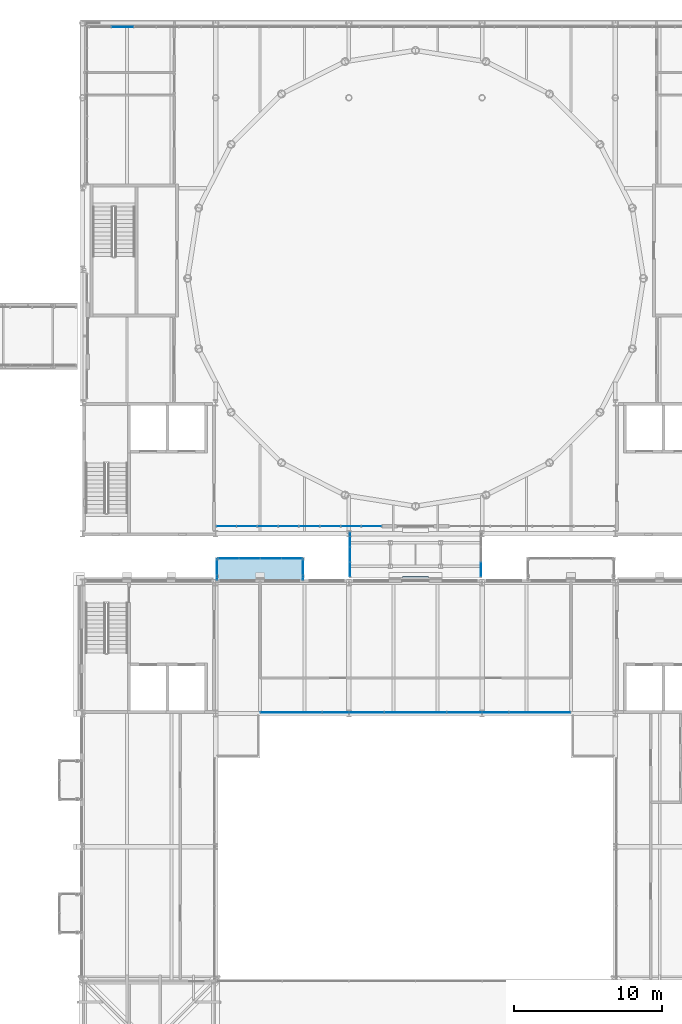
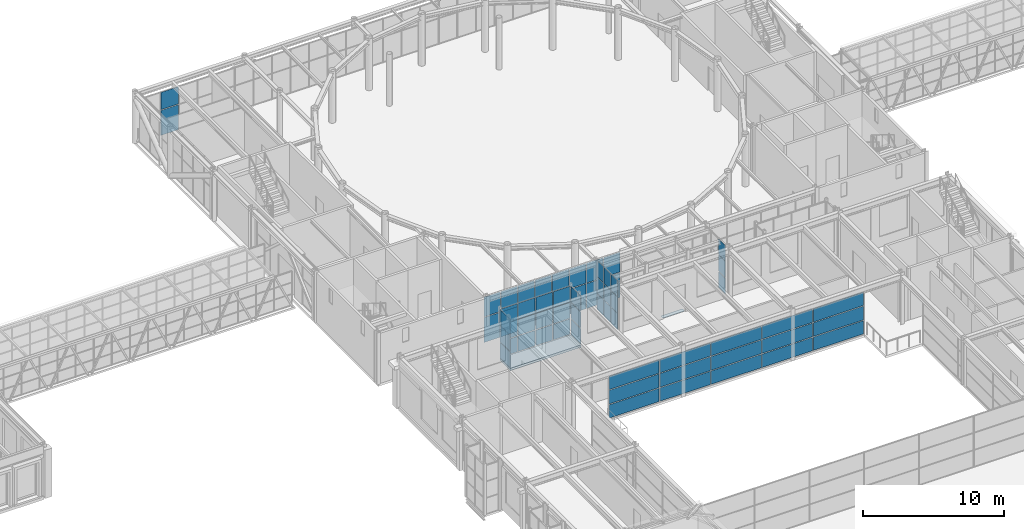
# One storey, part 81 of 149: 64 plates, 1 slab, 8 elements without a shape of their own.
"""IFC4 building model written with IfcOpenShell, lengths in metres."""

from ifc_helpers import new_model, si_unit, direction, frame, origin, origin_2d, place, context, subcontext, project, spatial, polyline, rectangle, outline, extrude, material, layer, layer_set, type_object, element, aggregate, save


model = new_model("IFC4")

# Units and contexts
model_context = context("Model", 3, precision=1e-05, world=origin(), true_north=direction((0.0, 1.0)))
body_context = subcontext(model_context, "Body", "Model", "MODEL_VIEW")
ifc_project = project(units=[si_unit("LENGTHUNIT", "METRE"), si_unit("AREAUNIT", "SQUARE_METRE"), si_unit("VOLUMEUNIT", "CUBIC_METRE"), si_unit("PLANEANGLEUNIT", "RADIAN"), si_unit("MASSUNIT", "GRAM", prefix="KILO")], contexts=[model_context])

# Site, building, storey
site_placement = place(None, origin())
site = spatial("IfcSite", under=ifc_project, at=site_placement, CompositionType="ELEMENT")
building_placement = place(site_placement, origin())
building = spatial("IfcBuilding", under=site, at=building_placement, Name="Kallimachos Central Library", CompositionType="ELEMENT")
storey_placement = place(building_placement, frame((0.0, 0.0, 9.89990234375)))
storey = spatial("IfcBuildingStorey", under=building, at=storey_placement, Name="L02", CompositionType="ELEMENT", Elevation=9.89990234375)

# Curtain wall, plates
ifc_material_1 = material(Name="Aluminium and laminated glass", Category="aluminium")
curtain_wall_type_1 = type_object("IfcCurtainWallType", Name="Atrium glazed screen", PredefinedType="NOTDEFINED", material=ifc_material_1)
curtain_wall_1_placement = place(storey_placement, origin())
curtain_wall_1 = element("IfcCurtainWall", 1, at=curtain_wall_1_placement, inside=storey, type_object=curtain_wall_type_1, Name="L02 atrium screen N", PredefinedType="NOTDEFINED")
ifc_material_2 = material(Name="Laminated glass", Category="glass")
ifc_layer_1 = layer(ifc_material_2, 0.028076171875)
ifc_layer_set_1 = layer_set([ifc_layer_1], Name="Atrium screen glass panel")
plate_type_1 = type_object("IfcPlateType", Name="Atrium screen glass panel", PredefinedType="CURTAIN_PANEL", material=ifc_layer_set_1)
plate_1_placement = place(storey_placement, frame((79.614990234375, 75.080078125, 0.06005859375), z_axis=(0.0, 0.0, 1.0), x_axis=(1.0, 0.0, 0.0)))
plate_1 = element("IfcPlate", 2, at=plate_1_placement, type_object=plate_type_1, Name="CW panel 1.1", PredefinedType="CURTAIN_PANEL", context=body_context, shape_type="SweptSolid", body=[
    extrude(rectangle(XDim=4.110107421875, YDim=0.028076171875, at=origin_2d()), origin(), (0.0, 0.0, 1.0), 1.159912109375),
])
plate_2_placement = place(storey_placement, frame((79.614990234375, 75.080078125, 1.280029296875), z_axis=(0.0, 0.0, 1.0), x_axis=(1.0, 0.0, 0.0)))
plate_2 = element("IfcPlate", 3, at=plate_2_placement, type_object=plate_type_1, Name="CW panel 1.2", PredefinedType="CURTAIN_PANEL", context=body_context, shape_type="SweptSolid", body=[
    extrude(rectangle(XDim=4.110107421875, YDim=0.028076171875, at=origin_2d()), origin(), (0.0, 0.0, 1.0), 1.18994140625),
])
plate_3_placement = place(storey_placement, frame((79.614990234375, 75.080078125, 2.5302734375), z_axis=(0.0, 0.0, 1.0), x_axis=(1.0, 0.0, 0.0)))
plate_3 = element("IfcPlate", 4, at=plate_3_placement, type_object=plate_type_1, Name="CW panel 1.3", PredefinedType="CURTAIN_PANEL", context=body_context, shape_type="SweptSolid", body=[
    extrude(rectangle(XDim=4.110107421875, YDim=0.028076171875, at=origin_2d()), origin(), (0.0, 0.0, 1.0), 1.159912109375),
])
plate_4_placement = place(storey_placement, frame((83.800048828125, 75.080078125, 0.06005859375), z_axis=(0.0, 0.0, 1.0), x_axis=(1.0, 0.0, 0.0)))
plate_4 = element("IfcPlate", 5, at=plate_4_placement, type_object=plate_type_1, Name="CW panel 2.1", PredefinedType="CURTAIN_PANEL", context=body_context, shape_type="SweptSolid", body=[
    extrude(rectangle(XDim=4.139892578125, YDim=0.028076171875, at=origin_2d()), origin(), (0.0, 0.0, 1.0), 1.159912109375),
])
plate_5_placement = place(storey_placement, frame((83.800048828125, 75.080078125, 1.280029296875), z_axis=(0.0, 0.0, 1.0), x_axis=(1.0, 0.0, 0.0)))
plate_5 = element("IfcPlate", 6, at=plate_5_placement, type_object=plate_type_1, Name="CW panel 2.2", PredefinedType="CURTAIN_PANEL", context=body_context, shape_type="SweptSolid", body=[
    extrude(rectangle(XDim=4.139892578125, YDim=0.028076171875, at=origin_2d()), origin(), (0.0, 0.0, 1.0), 1.18994140625),
])
plate_6_placement = place(storey_placement, frame((83.800048828125, 75.080078125, 2.5302734375), z_axis=(0.0, 0.0, 1.0), x_axis=(1.0, 0.0, 0.0)))
plate_6 = element("IfcPlate", 7, at=plate_6_placement, type_object=plate_type_1, Name="CW panel 2.3", PredefinedType="CURTAIN_PANEL", context=body_context, shape_type="SweptSolid", body=[
    extrude(rectangle(XDim=4.139892578125, YDim=0.028076171875, at=origin_2d()), origin(), (0.0, 0.0, 1.0), 1.159912109375),
])
plate_7_placement = place(storey_placement, frame((88.0, 75.080078125, 0.06005859375), z_axis=(0.0, 0.0, 1.0), x_axis=(1.0, 0.0, 0.0)))
plate_7 = element("IfcPlate", 8, at=plate_7_placement, type_object=plate_type_1, Name="CW panel 3.1", PredefinedType="CURTAIN_PANEL", context=body_context, shape_type="SweptSolid", body=[
    extrude(rectangle(XDim=4.139892578125, YDim=0.028076171875, at=origin_2d()), origin(), (0.0, 0.0, 1.0), 1.159912109375),
])
plate_8_placement = place(storey_placement, frame((88.0, 75.080078125, 1.280029296875), z_axis=(0.0, 0.0, 1.0), x_axis=(1.0, 0.0, 0.0)))
plate_8 = element("IfcPlate", 9, at=plate_8_placement, type_object=plate_type_1, Name="CW panel 3.2", PredefinedType="CURTAIN_PANEL", context=body_context, shape_type="SweptSolid", body=[
    extrude(rectangle(XDim=4.139892578125, YDim=0.028076171875, at=origin_2d()), origin(), (0.0, 0.0, 1.0), 1.18994140625),
])
plate_9_placement = place(storey_placement, frame((88.0, 75.080078125, 2.5302734375), z_axis=(0.0, 0.0, 1.0), x_axis=(1.0, 0.0, 0.0)))
plate_9 = element("IfcPlate", 10, at=plate_9_placement, type_object=plate_type_1, Name="CW panel 3.3", PredefinedType="CURTAIN_PANEL", context=body_context, shape_type="SweptSolid", body=[
    extrude(rectangle(XDim=4.139892578125, YDim=0.028076171875, at=origin_2d()), origin(), (0.0, 0.0, 1.0), 1.159912109375),
])
plate_10_placement = place(storey_placement, frame((92.199951171875, 75.080078125, 0.06005859375), z_axis=(0.0, 0.0, 1.0), x_axis=(1.0, 0.0, 0.0)))
plate_10 = element("IfcPlate", 11, at=plate_10_placement, type_object=plate_type_1, Name="CW panel 4.1", PredefinedType="CURTAIN_PANEL", context=body_context, shape_type="SweptSolid", body=[
    extrude(rectangle(XDim=4.139892578125, YDim=0.028076171875, at=origin_2d()), origin(), (0.0, 0.0, 1.0), 1.159912109375),
])
plate_11_placement = place(storey_placement, frame((92.199951171875, 75.080078125, 1.280029296875), z_axis=(0.0, 0.0, 1.0), x_axis=(1.0, 0.0, 0.0)))
plate_11 = element("IfcPlate", 12, at=plate_11_placement, type_object=plate_type_1, Name="CW panel 4.2", PredefinedType="CURTAIN_PANEL", context=body_context, shape_type="SweptSolid", body=[
    extrude(rectangle(XDim=4.139892578125, YDim=0.028076171875, at=origin_2d()), origin(), (0.0, 0.0, 1.0), 1.18994140625),
])
plate_12_placement = place(storey_placement, frame((92.199951171875, 75.080078125, 2.5302734375), z_axis=(0.0, 0.0, 1.0), x_axis=(1.0, 0.0, 0.0)))
plate_12 = element("IfcPlate", 13, at=plate_12_placement, type_object=plate_type_1, Name="CW panel 4.3", PredefinedType="CURTAIN_PANEL", context=body_context, shape_type="SweptSolid", body=[
    extrude(rectangle(XDim=4.139892578125, YDim=0.028076171875, at=origin_2d()), origin(), (0.0, 0.0, 1.0), 1.159912109375),
])
plate_13_placement = place(storey_placement, frame((96.385009765625, 75.080078125, 0.06005859375), z_axis=(0.0, 0.0, 1.0), x_axis=(1.0, 0.0, 0.0)))
plate_13 = element("IfcPlate", 14, at=plate_13_placement, type_object=plate_type_1, Name="CW panel 5.1", PredefinedType="CURTAIN_PANEL", context=body_context, shape_type="SweptSolid", body=[
    extrude(rectangle(XDim=4.110107421875, YDim=0.028076171875, at=origin_2d()), origin(), (0.0, 0.0, 1.0), 1.159912109375),
])
plate_14_placement = place(storey_placement, frame((96.385009765625, 75.080078125, 1.280029296875), z_axis=(0.0, 0.0, 1.0), x_axis=(1.0, 0.0, 0.0)))
plate_14 = element("IfcPlate", 15, at=plate_14_placement, type_object=plate_type_1, Name="CW panel 5.2", PredefinedType="CURTAIN_PANEL", context=body_context, shape_type="SweptSolid", body=[
    extrude(rectangle(XDim=4.110107421875, YDim=0.028076171875, at=origin_2d()), origin(), (0.0, 0.0, 1.0), 1.18994140625),
])
plate_15_placement = place(storey_placement, frame((96.385009765625, 75.080078125, 2.5302734375), z_axis=(0.0, 0.0, 1.0), x_axis=(1.0, 0.0, 0.0)))
plate_15 = element("IfcPlate", 16, at=plate_15_placement, type_object=plate_type_1, Name="CW panel 5.3", PredefinedType="CURTAIN_PANEL", context=body_context, shape_type="SweptSolid", body=[
    extrude(rectangle(XDim=4.110107421875, YDim=0.028076171875, at=origin_2d()), origin(), (0.0, 0.0, 1.0), 1.159912109375),
])
aggregate(curtain_wall_1, [plate_1, plate_2, plate_3, plate_4, plate_5, plate_6, plate_7, plate_8, plate_9, plate_10, plate_11, plate_12, plate_13, plate_14, plate_15])

# Plate
ifc_material_3 = material(Name="Stainless steel plate", Category="steel")
ifc_layer_2 = layer(ifc_material_3, 0.011962890625)
ifc_layer_set_2 = layer_set([ifc_layer_2], Name="Joint cover plate")
plate_type_2 = type_object("IfcPlateType", Name="Joint cover plate", PredefinedType="SHEET", material=ifc_layer_set_2)
plate_16_placement = place(storey_placement, frame((88.0, 84.10791015625, 0.0), z_axis=(0.0, 0.0, 1.0), x_axis=(1.0, 0.0, 0.0)))
element("IfcPlate", 17, at=plate_16_placement, inside=storey, type_object=plate_type_2, Name="Reading Link joint cover plate L02", PredefinedType="SHEET", context=body_context, shape_type="SweptSolid", body=[
    extrude(rectangle(XDim=1.780029296875, YDim=0.300048828125, at=origin_2d()), origin(), (0.0, 0.0, 1.0), 0.011962890625),
])

# Curtain wall, plates
ifc_material_4 = material(Name="Anodised aluminium and laminated glass", Category="aluminium")
ifc_layer_3 = layer(ifc_material_4, 0.159912109375)
ifc_layer_set_3 = layer_set([ifc_layer_3], Name="Glass box curtain wall")
curtain_wall_type_2 = type_object("IfcCurtainWallType", Name="Glass box curtain wall", PredefinedType="NOTDEFINED", material=ifc_layer_set_3)
curtain_wall_2_placement = place(storey_placement, origin())
curtain_wall_2 = element("IfcCurtainWall", 18, at=curtain_wall_2_placement, inside=storey, type_object=curtain_wall_type_2, Name="Glass box curtain wall S L02", PredefinedType="NOTDEFINED")
ifc_material_5 = material(Name="Laminated glass", Category="glass")
ifc_layer_4 = layer(ifc_material_5, 0.028076171875)
ifc_layer_set_4 = layer_set([ifc_layer_4], Name="Laminated glass panel 28")
plate_type_3 = type_object("IfcPlateType", Name="Laminated glass panel 28", PredefinedType="CURTAIN_PANEL", material=ifc_layer_set_4)
plate_17_placement = place(storey_placement, frame((75.218017578125, 87.64990234375, 0.06005859375), z_axis=(0.0, 0.0, 1.0), x_axis=(1.0, 0.0, 0.0)))
plate_17 = element("IfcPlate", 19, at=plate_17_placement, type_object=plate_type_3, Name="CW12 panel 1.1", PredefinedType="CURTAIN_PANEL", context=body_context, shape_type="SweptSolid", body=[
    extrude(rectangle(XDim=1.316162109375, YDim=0.028076171875, at=origin_2d()), origin(), (0.0, 0.0, 1.0), 2.159912109375),
])
plate_18_placement = place(storey_placement, frame((75.218017578125, 87.64990234375, 2.280029296875), z_axis=(0.0, 0.0, 1.0), x_axis=(1.0, 0.0, 0.0)))
plate_18 = element("IfcPlate", 20, at=plate_18_placement, type_object=plate_type_3, Name="CW12 panel 1.2", PredefinedType="CURTAIN_PANEL", context=body_context, shape_type="SweptSolid", body=[
    extrude(rectangle(XDim=1.316162109375, YDim=0.028076171875, at=origin_2d()), origin(), (0.0, 0.0, 1.0), 1.7099609375),
])
plate_19_placement = place(storey_placement, frame((76.609375, 87.64990234375, 0.06005859375), z_axis=(0.0, 0.0, 1.0), x_axis=(1.0, 0.0, 0.0)))
plate_19 = element("IfcPlate", 21, at=plate_19_placement, type_object=plate_type_3, Name="CW12 panel 2.1", PredefinedType="CURTAIN_PANEL", context=body_context, shape_type="SweptSolid", body=[
    extrude(rectangle(XDim=1.34619140625, YDim=0.028076171875, at=origin_2d()), origin(), (0.0, 0.0, 1.0), 2.159912109375),
])
plate_20_placement = place(storey_placement, frame((76.609375, 87.64990234375, 2.280029296875), z_axis=(0.0, 0.0, 1.0), x_axis=(1.0, 0.0, 0.0)))
plate_20 = element("IfcPlate", 22, at=plate_20_placement, type_object=plate_type_3, Name="CW12 panel 2.2", PredefinedType="CURTAIN_PANEL", context=body_context, shape_type="SweptSolid", body=[
    extrude(rectangle(XDim=1.34619140625, YDim=0.028076171875, at=origin_2d()), origin(), (0.0, 0.0, 1.0), 1.7099609375),
])
plate_21_placement = place(storey_placement, frame((78.015625, 87.64990234375, 0.06005859375), z_axis=(0.0, 0.0, 1.0), x_axis=(1.0, 0.0, 0.0)))
plate_21 = element("IfcPlate", 23, at=plate_21_placement, type_object=plate_type_3, Name="CW12 panel 3.1", PredefinedType="CURTAIN_PANEL", context=body_context, shape_type="SweptSolid", body=[
    extrude(rectangle(XDim=1.34619140625, YDim=0.028076171875, at=origin_2d()), origin(), (0.0, 0.0, 1.0), 2.159912109375),
])
plate_22_placement = place(storey_placement, frame((78.015625, 87.64990234375, 2.280029296875), z_axis=(0.0, 0.0, 1.0), x_axis=(1.0, 0.0, 0.0)))
plate_22 = element("IfcPlate", 24, at=plate_22_placement, type_object=plate_type_3, Name="CW12 panel 3.2", PredefinedType="CURTAIN_PANEL", context=body_context, shape_type="SweptSolid", body=[
    extrude(rectangle(XDim=1.34619140625, YDim=0.028076171875, at=origin_2d()), origin(), (0.0, 0.0, 1.0), 1.7099609375),
])
plate_23_placement = place(storey_placement, frame((79.421875, 87.64990234375, 0.06005859375), z_axis=(0.0, 0.0, 1.0), x_axis=(1.0, 0.0, 0.0)))
plate_23 = element("IfcPlate", 25, at=plate_23_placement, type_object=plate_type_3, Name="CW12 panel 4.1", PredefinedType="CURTAIN_PANEL", context=body_context, shape_type="SweptSolid", body=[
    extrude(rectangle(XDim=1.34619140625, YDim=0.028076171875, at=origin_2d()), origin(), (0.0, 0.0, 1.0), 2.159912109375),
])
plate_24_placement = place(storey_placement, frame((79.421875, 87.64990234375, 2.280029296875), z_axis=(0.0, 0.0, 1.0), x_axis=(1.0, 0.0, 0.0)))
plate_24 = element("IfcPlate", 26, at=plate_24_placement, type_object=plate_type_3, Name="CW12 panel 4.2", PredefinedType="CURTAIN_PANEL", context=body_context, shape_type="SweptSolid", body=[
    extrude(rectangle(XDim=1.34619140625, YDim=0.028076171875, at=origin_2d()), origin(), (0.0, 0.0, 1.0), 1.7099609375),
])
plate_25_placement = place(storey_placement, frame((80.828125, 87.64990234375, 0.06005859375), z_axis=(0.0, 0.0, 1.0), x_axis=(1.0, 0.0, 0.0)))
plate_25 = element("IfcPlate", 27, at=plate_25_placement, type_object=plate_type_3, Name="CW12 panel 5.1", PredefinedType="CURTAIN_PANEL", context=body_context, shape_type="SweptSolid", body=[
    extrude(rectangle(XDim=1.34619140625, YDim=0.028076171875, at=origin_2d()), origin(), (0.0, 0.0, 1.0), 2.159912109375),
])
plate_26_placement = place(storey_placement, frame((80.828125, 87.64990234375, 2.280029296875), z_axis=(0.0, 0.0, 1.0), x_axis=(1.0, 0.0, 0.0)))
plate_26 = element("IfcPlate", 28, at=plate_26_placement, type_object=plate_type_3, Name="CW12 panel 5.2", PredefinedType="CURTAIN_PANEL", context=body_context, shape_type="SweptSolid", body=[
    extrude(rectangle(XDim=1.34619140625, YDim=0.028076171875, at=origin_2d()), origin(), (0.0, 0.0, 1.0), 1.7099609375),
])
plate_27_placement = place(storey_placement, frame((82.234375, 87.64990234375, 0.06005859375), z_axis=(0.0, 0.0, 1.0), x_axis=(1.0, 0.0, 0.0)))
plate_27 = element("IfcPlate", 29, at=plate_27_placement, type_object=plate_type_3, Name="CW12 panel 6.1", PredefinedType="CURTAIN_PANEL", context=body_context, shape_type="SweptSolid", body=[
    extrude(rectangle(XDim=1.34619140625, YDim=0.028076171875, at=origin_2d()), origin(), (0.0, 0.0, 1.0), 2.159912109375),
])
plate_28_placement = place(storey_placement, frame((82.234375, 87.64990234375, 2.280029296875), z_axis=(0.0, 0.0, 1.0), x_axis=(1.0, 0.0, 0.0)))
plate_28 = element("IfcPlate", 30, at=plate_28_placement, type_object=plate_type_3, Name="CW12 panel 6.2", PredefinedType="CURTAIN_PANEL", context=body_context, shape_type="SweptSolid", body=[
    extrude(rectangle(XDim=1.34619140625, YDim=0.028076171875, at=origin_2d()), origin(), (0.0, 0.0, 1.0), 1.7099609375),
])
plate_29_placement = place(storey_placement, frame((83.640625, 87.64990234375, 0.06005859375), z_axis=(0.0, 0.0, 1.0), x_axis=(1.0, 0.0, 0.0)))
plate_29 = element("IfcPlate", 31, at=plate_29_placement, type_object=plate_type_3, Name="CW12 panel 7.1", PredefinedType="CURTAIN_PANEL", context=body_context, shape_type="SweptSolid", body=[
    extrude(rectangle(XDim=1.34619140625, YDim=0.028076171875, at=origin_2d()), origin(), (0.0, 0.0, 1.0), 2.159912109375),
])
plate_30_placement = place(storey_placement, frame((83.640625, 87.64990234375, 2.280029296875), z_axis=(0.0, 0.0, 1.0), x_axis=(1.0, 0.0, 0.0)))
plate_30 = element("IfcPlate", 32, at=plate_30_placement, type_object=plate_type_3, Name="CW12 panel 7.2", PredefinedType="CURTAIN_PANEL", context=body_context, shape_type="SweptSolid", body=[
    extrude(rectangle(XDim=1.34619140625, YDim=0.028076171875, at=origin_2d()), origin(), (0.0, 0.0, 1.0), 1.7099609375),
])
plate_31_placement = place(storey_placement, frame((85.031982421875, 87.64990234375, 0.06005859375), z_axis=(0.0, 0.0, 1.0), x_axis=(1.0, 0.0, 0.0)))
plate_31 = element("IfcPlate", 33, at=plate_31_placement, type_object=plate_type_3, Name="CW12 panel 8.1", PredefinedType="CURTAIN_PANEL", context=body_context, shape_type="SweptSolid", body=[
    extrude(rectangle(XDim=1.316162109375, YDim=0.028076171875, at=origin_2d()), origin(), (0.0, 0.0, 1.0), 2.159912109375),
])
plate_32_placement = place(storey_placement, frame((85.031982421875, 87.64990234375, 2.280029296875), z_axis=(0.0, 0.0, 1.0), x_axis=(1.0, 0.0, 0.0)))
plate_32 = element("IfcPlate", 34, at=plate_32_placement, type_object=plate_type_3, Name="CW12 panel 8.2", PredefinedType="CURTAIN_PANEL", context=body_context, shape_type="SweptSolid", body=[
    extrude(rectangle(XDim=1.316162109375, YDim=0.028076171875, at=origin_2d()), origin(), (0.0, 0.0, 1.0), 1.7099609375),
])
aggregate(curtain_wall_2, [plate_17, plate_18, plate_19, plate_20, plate_21, plate_22, plate_23, plate_24, plate_25, plate_26, plate_27, plate_28, plate_29, plate_30, plate_31, plate_32])

curtain_wall_3_placement = place(storey_placement, origin())
curtain_wall_3 = element("IfcCurtainWall", 35, at=curtain_wall_3_placement, inside=storey, type_object=curtain_wall_type_2, Name="Glass box curtain wall N L02", PredefinedType="NOTDEFINED")
plate_33_placement = place(storey_placement, frame((68.2041015625, 121.3798828125, 0.06005859375), z_axis=(0.0, 0.0, 1.0), x_axis=(1.0, 0.0, 0.0)))
plate_33 = element("IfcPlate", 36, at=plate_33_placement, type_object=plate_type_3, Name="CW20 panel 2.1", PredefinedType="CURTAIN_PANEL", context=body_context, shape_type="SweptSolid", body=[
    extrude(rectangle(XDim=1.462646484375, YDim=0.028076171875, at=origin_2d()), origin(), (0.0, 0.0, 1.0), 2.159912109375),
])
plate_34_placement = place(storey_placement, frame((68.2041015625, 121.3798828125, 2.2802734375), z_axis=(0.0, 0.0, 1.0), x_axis=(1.0, 0.0, 0.0)))
plate_34 = element("IfcPlate", 37, at=plate_34_placement, type_object=plate_type_3, Name="CW20 panel 2.2", PredefinedType="CURTAIN_PANEL", context=body_context, shape_type="SweptSolid", body=[
    extrude(rectangle(XDim=1.462646484375, YDim=0.028076171875, at=origin_2d()), origin(), (0.0, 0.0, 1.0), 1.510009765625),
])
aggregate(curtain_wall_3, [plate_33, plate_34])

ifc_material_6 = material(Name="Aluminium and laminated glass", Category="aluminium")
curtain_wall_type_3 = type_object("IfcCurtainWallType", Name="Link glazed wall", PredefinedType="NOTDEFINED", material=ifc_material_6)
curtain_wall_4_placement = place(storey_placement, origin())
curtain_wall_4 = element("IfcCurtainWall", 38, at=curtain_wall_4_placement, inside=storey, type_object=curtain_wall_type_3, Name="Reading Link glazed wall L02", PredefinedType="NOTDEFINED")
plate_35_placement = place(storey_placement, frame((83.580078125, 84.7275390625, 0.06005859375), z_axis=(0.0, 0.0, 1.0), x_axis=(0.0, 1.0, 0.0)))
plate_35 = element("IfcPlate", 39, at=plate_35_placement, type_object=plate_type_3, Name="CW66 panel 1.1", PredefinedType="CURTAIN_PANEL", context=body_context, shape_type="SweptSolid", body=[
    extrude(rectangle(XDim=0.93505859375, YDim=0.028076171875, at=origin_2d()), origin(), (0.0, 0.0, 1.0), 1.360107421875),
])
plate_36_placement = place(storey_placement, frame((83.580078125, 84.7275390625, 1.47998046875), z_axis=(0.0, 0.0, 1.0), x_axis=(0.0, 1.0, 0.0)))
plate_36 = element("IfcPlate", 40, at=plate_36_placement, type_object=plate_type_3, Name="CW66 panel 1.2", PredefinedType="CURTAIN_PANEL", context=body_context, shape_type="SweptSolid", body=[
    extrude(rectangle(XDim=0.93505859375, YDim=0.028076171875, at=origin_2d()), origin(), (0.0, 0.0, 1.0), 1.389892578125),
])
plate_37_placement = place(storey_placement, frame((83.580078125, 84.7275390625, 2.93017578125), z_axis=(0.0, 0.0, 1.0), x_axis=(0.0, 1.0, 0.0)))
plate_37 = element("IfcPlate", 41, at=plate_37_placement, type_object=plate_type_3, Name="CW66 panel 1.3", PredefinedType="CURTAIN_PANEL", context=body_context, shape_type="SweptSolid", body=[
    extrude(rectangle(XDim=0.93505859375, YDim=0.028076171875, at=origin_2d()), origin(), (0.0, 0.0, 1.0), 1.360107421875),
])
plate_38_placement = place(storey_placement, frame((83.580078125, 85.737548828125, 0.06005859375), z_axis=(0.0, 0.0, 1.0), x_axis=(0.0, 1.0, 0.0)))
plate_38 = element("IfcPlate", 42, at=plate_38_placement, type_object=plate_type_3, Name="CW66 panel 2.1", PredefinedType="CURTAIN_PANEL", context=body_context, shape_type="SweptSolid", body=[
    extrude(rectangle(XDim=0.965087890625, YDim=0.028076171875, at=origin_2d()), origin(), (0.0, 0.0, 1.0), 1.360107421875),
])
plate_39_placement = place(storey_placement, frame((83.580078125, 85.737548828125, 1.47998046875), z_axis=(0.0, 0.0, 1.0), x_axis=(0.0, 1.0, 0.0)))
plate_39 = element("IfcPlate", 43, at=plate_39_placement, type_object=plate_type_3, Name="CW66 panel 2.2", PredefinedType="CURTAIN_PANEL", context=body_context, shape_type="SweptSolid", body=[
    extrude(rectangle(XDim=0.965087890625, YDim=0.028076171875, at=origin_2d()), origin(), (0.0, 0.0, 1.0), 1.389892578125),
])
plate_40_placement = place(storey_placement, frame((83.580078125, 85.737548828125, 2.93017578125), z_axis=(0.0, 0.0, 1.0), x_axis=(0.0, 1.0, 0.0)))
plate_40 = element("IfcPlate", 44, at=plate_40_placement, type_object=plate_type_3, Name="CW66 panel 2.3", PredefinedType="CURTAIN_PANEL", context=body_context, shape_type="SweptSolid", body=[
    extrude(rectangle(XDim=0.965087890625, YDim=0.028076171875, at=origin_2d()), origin(), (0.0, 0.0, 1.0), 1.360107421875),
])
plate_41_placement = place(storey_placement, frame((83.580078125, 86.74755859375, 0.06005859375), z_axis=(0.0, 0.0, 1.0), x_axis=(0.0, 1.0, 0.0)))
plate_41 = element("IfcPlate", 45, at=plate_41_placement, type_object=plate_type_3, Name="CW66 panel 3.1", PredefinedType="CURTAIN_PANEL", context=body_context, shape_type="SweptSolid", body=[
    extrude(rectangle(XDim=0.93505859375, YDim=0.028076171875, at=origin_2d()), origin(), (0.0, 0.0, 1.0), 1.360107421875),
])
plate_42_placement = place(storey_placement, frame((83.580078125, 86.74755859375, 1.47998046875), z_axis=(0.0, 0.0, 1.0), x_axis=(0.0, 1.0, 0.0)))
plate_42 = element("IfcPlate", 46, at=plate_42_placement, type_object=plate_type_3, Name="CW66 panel 3.2", PredefinedType="CURTAIN_PANEL", context=body_context, shape_type="SweptSolid", body=[
    extrude(rectangle(XDim=0.93505859375, YDim=0.028076171875, at=origin_2d()), origin(), (0.0, 0.0, 1.0), 1.389892578125),
])
plate_43_placement = place(storey_placement, frame((83.580078125, 86.74755859375, 2.93017578125), z_axis=(0.0, 0.0, 1.0), x_axis=(0.0, 1.0, 0.0)))
plate_43 = element("IfcPlate", 47, at=plate_43_placement, type_object=plate_type_3, Name="CW66 panel 3.3", PredefinedType="CURTAIN_PANEL", context=body_context, shape_type="SweptSolid", body=[
    extrude(rectangle(XDim=0.93505859375, YDim=0.028076171875, at=origin_2d()), origin(), (0.0, 0.0, 1.0), 1.360107421875),
])
aggregate(curtain_wall_4, [plate_35, plate_36, plate_37, plate_38, plate_39, plate_40, plate_41, plate_42, plate_43])

curtain_wall_5_placement = place(storey_placement, origin())
curtain_wall_5 = element("IfcCurtainWall", 48, at=curtain_wall_5_placement, inside=storey, type_object=curtain_wall_type_3, Name="Reading Link glazed wall L02", PredefinedType="NOTDEFINED")
plate_44_placement = place(storey_placement, frame((92.419921875, 84.7275390625, 0.06005859375), z_axis=(0.0, 0.0, 1.0), x_axis=(0.0, 1.0, 0.0)))
plate_44 = element("IfcPlate", 49, at=plate_44_placement, type_object=plate_type_3, Name="CW67 panel 1.1", PredefinedType="CURTAIN_PANEL", context=body_context, shape_type="SweptSolid", body=[
    extrude(rectangle(XDim=0.93505859375, YDim=0.028076171875, at=origin_2d()), origin(), (0.0, 0.0, 1.0), 1.360107421875),
])
plate_45_placement = place(storey_placement, frame((92.419921875, 84.7275390625, 1.47998046875), z_axis=(0.0, 0.0, 1.0), x_axis=(0.0, 1.0, 0.0)))
plate_45 = element("IfcPlate", 50, at=plate_45_placement, type_object=plate_type_3, Name="CW67 panel 1.2", PredefinedType="CURTAIN_PANEL", context=body_context, shape_type="SweptSolid", body=[
    extrude(rectangle(XDim=0.93505859375, YDim=0.028076171875, at=origin_2d()), origin(), (0.0, 0.0, 1.0), 1.389892578125),
])
plate_46_placement = place(storey_placement, frame((92.419921875, 84.7275390625, 2.93017578125), z_axis=(0.0, 0.0, 1.0), x_axis=(0.0, 1.0, 0.0)))
plate_46 = element("IfcPlate", 51, at=plate_46_placement, type_object=plate_type_3, Name="CW67 panel 1.3", PredefinedType="CURTAIN_PANEL", context=body_context, shape_type="SweptSolid", body=[
    extrude(rectangle(XDim=0.93505859375, YDim=0.028076171875, at=origin_2d()), origin(), (0.0, 0.0, 1.0), 1.360107421875),
])
aggregate(curtain_wall_5, [plate_44, plate_45, plate_46])

# Slab
ifc_material_7 = material(Name="Composite slab C30/37 on steel deck", Category="concrete")
ifc_layer_5 = layer(ifc_material_7, 0.199951171875)
ifc_layer_set_5 = layer_set([ifc_layer_5], Name="Tribune bay floor slab 200")
slab_type = type_object("IfcSlabType", Name="Tribune bay floor slab 200", PredefinedType="FLOOR", material=ifc_layer_set_5)
slab_placement = place(storey_placement, frame((0.0, 0.0, -0.199951171875)))
element("IfcSlab", 52, at=slab_placement, inside=storey, type_object=slab_type, Name="Tribune bay N1 floor L02", PredefinedType="FLOOR", context=body_context, shape_type="SweptSolid", body=[
    extrude(outline(polyline([(74.60009765625, 85.466064453125), (80.39990234375, 85.466064453125), (80.39990234375, 84.0), (74.60009765625, 84.0), (74.60009765625, 85.466064453125)])), origin(), (0.0, 0.0, 1.0), 0.199951171875),
])

# Curtain wall, plates
ifc_material_8 = material(Name="Aluminium and laminated glass", Category="aluminium")
curtain_wall_type_4 = type_object("IfcCurtainWallType", Name="Tribune bay glazed screen", PredefinedType="NOTDEFINED", material=ifc_material_8)
curtain_wall_6_placement = place(storey_placement, origin())
curtain_wall_6 = element("IfcCurtainWall", 53, at=curtain_wall_6_placement, inside=storey, type_object=curtain_wall_type_4, Name="Tribune bay N1 L02 front", PredefinedType="NOTDEFINED")
ifc_material_9 = material(Name="Laminated glass", Category="glass")
ifc_layer_6 = layer(ifc_material_9, 0.028076171875)
ifc_layer_set_6 = layer_set([ifc_layer_6], Name="Tribune bay glass panel")
plate_type_4 = type_object("IfcPlateType", Name="Tribune bay glass panel", PredefinedType="CURTAIN_PANEL", material=ifc_layer_set_6)
plate_47_placement = place(storey_placement, frame((75.340087890625, 85.466064453125, 0.06005859375), z_axis=(0.0, 0.0, 1.0), x_axis=(1.0, 0.0, 0.0)))
plate_47 = element("IfcPlate", 54, at=plate_47_placement, type_object=plate_type_4, Name="CW panel 1.1", PredefinedType="CURTAIN_PANEL", context=body_context, shape_type="SweptSolid", body=[
    extrude(rectangle(XDim=1.360107421875, YDim=0.028076171875, at=origin_2d()), origin(), (0.0, 0.0, 1.0), 1.34326171875),
])
plate_48_placement = place(storey_placement, frame((75.340087890625, 85.466064453125, 1.46337890625), z_axis=(0.0, 0.0, 1.0), x_axis=(1.0, 0.0, 0.0)))
plate_48 = element("IfcPlate", 55, at=plate_48_placement, type_object=plate_type_4, Name="CW panel 1.2", PredefinedType="CURTAIN_PANEL", context=body_context, shape_type="SweptSolid", body=[
    extrude(rectangle(XDim=1.360107421875, YDim=0.028076171875, at=origin_2d()), origin(), (0.0, 0.0, 1.0), 1.373291015625),
])
plate_49_placement = place(storey_placement, frame((75.340087890625, 85.466064453125, 2.896728515625), z_axis=(0.0, 0.0, 1.0), x_axis=(1.0, 0.0, 0.0)))
plate_49 = element("IfcPlate", 56, at=plate_49_placement, type_object=plate_type_4, Name="CW panel 1.3", PredefinedType="CURTAIN_PANEL", context=body_context, shape_type="SweptSolid", body=[
    extrude(rectangle(XDim=1.360107421875, YDim=0.028076171875, at=origin_2d()), origin(), (0.0, 0.0, 1.0), 1.34326171875),
])
plate_50_placement = place(storey_placement, frame((76.77490234375, 85.466064453125, 0.06005859375), z_axis=(0.0, 0.0, 1.0), x_axis=(1.0, 0.0, 0.0)))
plate_50 = element("IfcPlate", 57, at=plate_50_placement, type_object=plate_type_4, Name="CW panel 2.1", PredefinedType="CURTAIN_PANEL", context=body_context, shape_type="SweptSolid", body=[
    extrude(rectangle(XDim=1.389892578125, YDim=0.028076171875, at=origin_2d()), origin(), (0.0, 0.0, 1.0), 1.34326171875),
])
plate_51_placement = place(storey_placement, frame((76.77490234375, 85.466064453125, 1.46337890625), z_axis=(0.0, 0.0, 1.0), x_axis=(1.0, 0.0, 0.0)))
plate_51 = element("IfcPlate", 58, at=plate_51_placement, type_object=plate_type_4, Name="CW panel 2.2", PredefinedType="CURTAIN_PANEL", context=body_context, shape_type="SweptSolid", body=[
    extrude(rectangle(XDim=1.389892578125, YDim=0.028076171875, at=origin_2d()), origin(), (0.0, 0.0, 1.0), 1.373291015625),
])
plate_52_placement = place(storey_placement, frame((76.77490234375, 85.466064453125, 2.896728515625), z_axis=(0.0, 0.0, 1.0), x_axis=(1.0, 0.0, 0.0)))
plate_52 = element("IfcPlate", 59, at=plate_52_placement, type_object=plate_type_4, Name="CW panel 2.3", PredefinedType="CURTAIN_PANEL", context=body_context, shape_type="SweptSolid", body=[
    extrude(rectangle(XDim=1.389892578125, YDim=0.028076171875, at=origin_2d()), origin(), (0.0, 0.0, 1.0), 1.34326171875),
])
plate_53_placement = place(storey_placement, frame((78.22509765625, 85.466064453125, 0.06005859375), z_axis=(0.0, 0.0, 1.0), x_axis=(1.0, 0.0, 0.0)))
plate_53 = element("IfcPlate", 60, at=plate_53_placement, type_object=plate_type_4, Name="CW panel 3.1", PredefinedType="CURTAIN_PANEL", context=body_context, shape_type="SweptSolid", body=[
    extrude(rectangle(XDim=1.389892578125, YDim=0.028076171875, at=origin_2d()), origin(), (0.0, 0.0, 1.0), 1.34326171875),
])
plate_54_placement = place(storey_placement, frame((78.22509765625, 85.466064453125, 1.46337890625), z_axis=(0.0, 0.0, 1.0), x_axis=(1.0, 0.0, 0.0)))
plate_54 = element("IfcPlate", 61, at=plate_54_placement, type_object=plate_type_4, Name="CW panel 3.2", PredefinedType="CURTAIN_PANEL", context=body_context, shape_type="SweptSolid", body=[
    extrude(rectangle(XDim=1.389892578125, YDim=0.028076171875, at=origin_2d()), origin(), (0.0, 0.0, 1.0), 1.373291015625),
])
plate_55_placement = place(storey_placement, frame((78.22509765625, 85.466064453125, 2.896728515625), z_axis=(0.0, 0.0, 1.0), x_axis=(1.0, 0.0, 0.0)))
plate_55 = element("IfcPlate", 62, at=plate_55_placement, type_object=plate_type_4, Name="CW panel 3.3", PredefinedType="CURTAIN_PANEL", context=body_context, shape_type="SweptSolid", body=[
    extrude(rectangle(XDim=1.389892578125, YDim=0.028076171875, at=origin_2d()), origin(), (0.0, 0.0, 1.0), 1.34326171875),
])
plate_56_placement = place(storey_placement, frame((79.659912109375, 85.466064453125, 0.06005859375), z_axis=(0.0, 0.0, 1.0), x_axis=(1.0, 0.0, 0.0)))
plate_56 = element("IfcPlate", 63, at=plate_56_placement, type_object=plate_type_4, Name="CW panel 4.1", PredefinedType="CURTAIN_PANEL", context=body_context, shape_type="SweptSolid", body=[
    extrude(rectangle(XDim=1.360107421875, YDim=0.028076171875, at=origin_2d()), origin(), (0.0, 0.0, 1.0), 1.34326171875),
])
plate_57_placement = place(storey_placement, frame((79.659912109375, 85.466064453125, 1.46337890625), z_axis=(0.0, 0.0, 1.0), x_axis=(1.0, 0.0, 0.0)))
plate_57 = element("IfcPlate", 64, at=plate_57_placement, type_object=plate_type_4, Name="CW panel 4.2", PredefinedType="CURTAIN_PANEL", context=body_context, shape_type="SweptSolid", body=[
    extrude(rectangle(XDim=1.360107421875, YDim=0.028076171875, at=origin_2d()), origin(), (0.0, 0.0, 1.0), 1.373291015625),
])
plate_58_placement = place(storey_placement, frame((79.659912109375, 85.466064453125, 2.896728515625), z_axis=(0.0, 0.0, 1.0), x_axis=(1.0, 0.0, 0.0)))
plate_58 = element("IfcPlate", 65, at=plate_58_placement, type_object=plate_type_4, Name="CW panel 4.3", PredefinedType="CURTAIN_PANEL", context=body_context, shape_type="SweptSolid", body=[
    extrude(rectangle(XDim=1.360107421875, YDim=0.028076171875, at=origin_2d()), origin(), (0.0, 0.0, 1.0), 1.34326171875),
])
aggregate(curtain_wall_6, [plate_47, plate_48, plate_49, plate_50, plate_51, plate_52, plate_53, plate_54, plate_55, plate_56, plate_57, plate_58])

curtain_wall_7_placement = place(storey_placement, origin())
curtain_wall_7 = element("IfcCurtainWall", 66, at=curtain_wall_7_placement, inside=storey, type_object=curtain_wall_type_4, Name="Tribune bay N1 L02 return 1", PredefinedType="NOTDEFINED")
plate_59_placement = place(storey_placement, frame((74.60009765625, 84.716064453125, 0.06005859375), z_axis=(0.0, 0.0, 1.0), x_axis=(0.0, 1.0, 0.0)))
plate_59 = element("IfcPlate", 67, at=plate_59_placement, type_object=plate_type_4, Name="CW panel 1.1", PredefinedType="CURTAIN_PANEL", context=body_context, shape_type="SweptSolid", body=[
    extrude(rectangle(XDim=1.3798828125, YDim=0.028076171875, at=origin_2d()), origin(), (0.0, 0.0, 1.0), 1.34326171875),
])
plate_60_placement = place(storey_placement, frame((74.60009765625, 84.716064453125, 1.46337890625), z_axis=(0.0, 0.0, 1.0), x_axis=(0.0, 1.0, 0.0)))
plate_60 = element("IfcPlate", 68, at=plate_60_placement, type_object=plate_type_4, Name="CW panel 1.2", PredefinedType="CURTAIN_PANEL", context=body_context, shape_type="SweptSolid", body=[
    extrude(rectangle(XDim=1.3798828125, YDim=0.028076171875, at=origin_2d()), origin(), (0.0, 0.0, 1.0), 1.373291015625),
])
plate_61_placement = place(storey_placement, frame((74.60009765625, 84.716064453125, 2.896728515625), z_axis=(0.0, 0.0, 1.0), x_axis=(0.0, 1.0, 0.0)))
plate_61 = element("IfcPlate", 69, at=plate_61_placement, type_object=plate_type_4, Name="CW panel 1.3", PredefinedType="CURTAIN_PANEL", context=body_context, shape_type="SweptSolid", body=[
    extrude(rectangle(XDim=1.3798828125, YDim=0.028076171875, at=origin_2d()), origin(), (0.0, 0.0, 1.0), 1.34326171875),
])
aggregate(curtain_wall_7, [plate_59, plate_60, plate_61])

curtain_wall_8_placement = place(storey_placement, origin())
curtain_wall_8 = element("IfcCurtainWall", 70, at=curtain_wall_8_placement, inside=storey, type_object=curtain_wall_type_4, Name="Tribune bay N1 L02 return 2", PredefinedType="NOTDEFINED")
plate_62_placement = place(storey_placement, frame((80.39990234375, 84.716064453125, 0.06005859375), z_axis=(0.0, 0.0, 1.0), x_axis=(0.0, 1.0, 0.0)))
plate_62 = element("IfcPlate", 71, at=plate_62_placement, type_object=plate_type_4, Name="CW panel 1.1", PredefinedType="CURTAIN_PANEL", context=body_context, shape_type="SweptSolid", body=[
    extrude(rectangle(XDim=1.3798828125, YDim=0.028076171875, at=origin_2d()), origin(), (0.0, 0.0, 1.0), 1.34326171875),
])
plate_63_placement = place(storey_placement, frame((80.39990234375, 84.716064453125, 1.46337890625), z_axis=(0.0, 0.0, 1.0), x_axis=(0.0, 1.0, 0.0)))
plate_63 = element("IfcPlate", 72, at=plate_63_placement, type_object=plate_type_4, Name="CW panel 1.2", PredefinedType="CURTAIN_PANEL", context=body_context, shape_type="SweptSolid", body=[
    extrude(rectangle(XDim=1.3798828125, YDim=0.028076171875, at=origin_2d()), origin(), (0.0, 0.0, 1.0), 1.373291015625),
])
plate_64_placement = place(storey_placement, frame((80.39990234375, 84.716064453125, 2.896728515625), z_axis=(0.0, 0.0, 1.0), x_axis=(0.0, 1.0, 0.0)))
plate_64 = element("IfcPlate", 73, at=plate_64_placement, type_object=plate_type_4, Name="CW panel 1.3", PredefinedType="CURTAIN_PANEL", context=body_context, shape_type="SweptSolid", body=[
    extrude(rectangle(XDim=1.3798828125, YDim=0.028076171875, at=origin_2d()), origin(), (0.0, 0.0, 1.0), 1.34326171875),
])
aggregate(curtain_wall_8, [plate_62, plate_63, plate_64])

save(model, "model.ifc")
